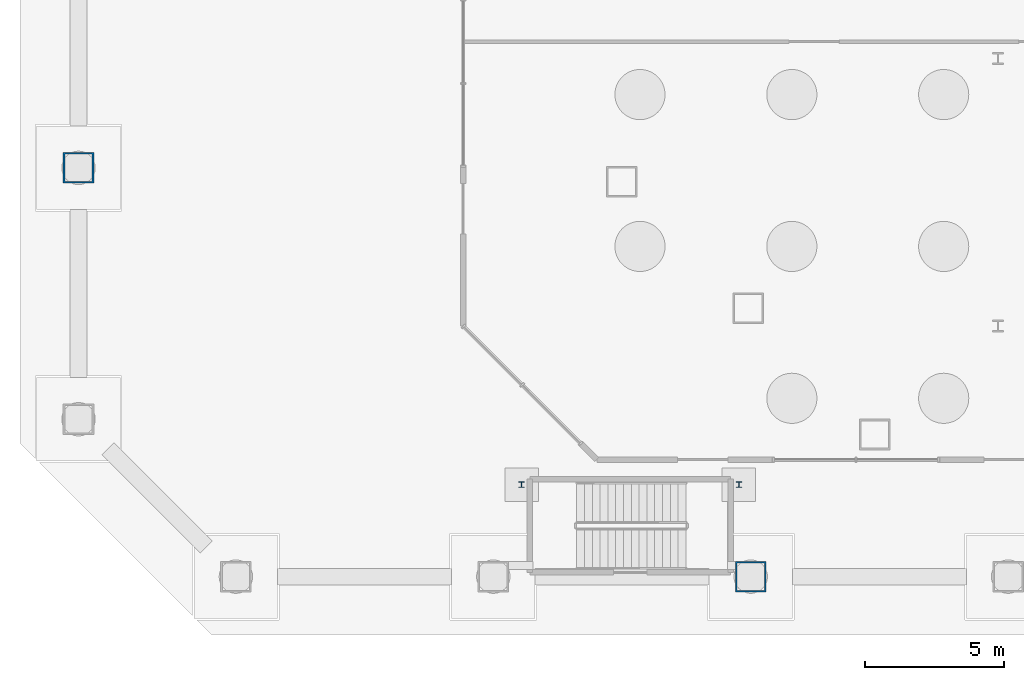
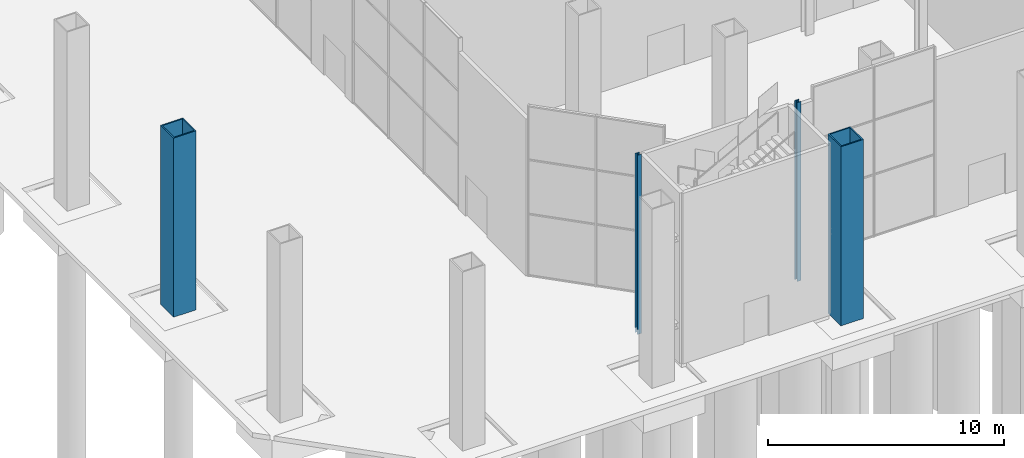
# One storey, part 3 of 38: 4 columns.
"""IFC4 building model written with IfcOpenShell, lengths in metres."""

from ifc_helpers import new_model, si_unit, direction, frame, origin, origin_2d, place, context, subcontext, project, spatial, hollow_rectangle, i_section, extrude, material, material_profile, profile_set, type_object, element, save


model = new_model("IFC4")

# Units and contexts
model_context = context("Model", 3, precision=1e-05, world=origin(), true_north=direction((0.0, 1.0)))
body_context = subcontext(model_context, "Body", "Model", "MODEL_VIEW")
ifc_project = project(units=[si_unit("LENGTHUNIT", "METRE"), si_unit("AREAUNIT", "SQUARE_METRE"), si_unit("VOLUMEUNIT", "CUBIC_METRE"), si_unit("PLANEANGLEUNIT", "RADIAN"), si_unit("MASSUNIT", "GRAM", prefix="KILO")], contexts=[model_context])

# Site, building, storey
site_placement = place(None, origin())
site = spatial("IfcSite", under=ifc_project, at=site_placement, CompositionType="ELEMENT")
building_placement = place(site_placement, origin())
building = spatial("IfcBuilding", under=site, at=building_placement, Name="Cairn Pilgrim Tower", CompositionType="ELEMENT")
storey_placement = place(building_placement, origin())
storey = spatial("IfcBuildingStorey", under=building, at=storey_placement, Name="L00", CompositionType="ELEMENT", Elevation=0.0)

# Columns
ifc_material_1 = material(Name="Structural steel S460M", Category="steel")
ifc_material_profile_1 = material_profile(ifc_material_1, hollow_rectangle(XDim=1.10009765625, YDim=1.10009765625, WallThickness=0.06005859375, at=origin_2d()), Name="BOX 1100x1100x60")
ifc_profile_set_1 = profile_set([ifc_material_profile_1], Name="Structural steel S460M")
column_type_1 = type_object("IfcColumnType", Name="PILOTIS CFT 1100", PredefinedType="COLUMN", material=ifc_profile_set_1)
for number, where, z_axis, x_axis, name in (
    (1, (-23.275634765625, -28.199951171875, -0.25), (0.0, 0.0, 1.0), (1.0, 0.0, 0.0), "PILOTIS PL-S3"),
    (2, (-47.39990234375, -13.531005859375, -0.25), (0.0, 0.0, 1.0), (1.0, 0.0, 0.0), "PILOTIS PL-W5"),
):
    element("IfcColumn", number, at=place(storey_placement, frame(where, z_axis=z_axis, x_axis=x_axis)), inside=storey, type_object=column_type_1, Name=name, PredefinedType="COLUMN", context=body_context, shape_type="SweptSolid", body=[
        extrude(hollow_rectangle(XDim=1.10009765625, YDim=1.10009765625, WallThickness=0.06005859375, at=origin_2d()), origin(), (0.0, 0.0, 1.0), 9.25),
    ])
ifc_material_2 = material(Name="Structural steel S355J2", Category="steel")
ifc_material_profile_2 = material_profile(ifc_material_2, i_section(OverallWidth=0.199951171875, OverallDepth=0.199951171875, WebThickness=0.009033203125, FlangeThickness=0.014892578125, FilletRadius=0.01806640625, at=origin_2d()), Name="HE 200 B")
ifc_profile_set_2 = profile_set([ifc_material_profile_2], Name="Structural steel S355J2")
column_type_2 = type_object("IfcColumnType", Name="STAIR POST HE 200 B", PredefinedType="COLUMN", material=ifc_profile_set_2)
for number, where, z_axis, x_axis, name in (
    (3, (-31.5, -24.89990234375, -0.25), (0.0, 0.0, 1.0), (1.0, 0.0, 0.0), "STAIR POST LP-HS-W"),
    (4, (-23.699951171875, -24.89990234375, -0.25), (0.0, 0.0, 1.0), (1.0, 0.0, 0.0), "STAIR POST LP-HS-E"),
):
    element("IfcColumn", number, at=place(storey_placement, frame(where, z_axis=z_axis, x_axis=x_axis)), inside=storey, type_object=column_type_2, Name=name, PredefinedType="COLUMN", context=body_context, shape_type="SweptSolid", body=[
        extrude(i_section(OverallWidth=0.199951171875, OverallDepth=0.199951171875, WebThickness=0.009033203125, FlangeThickness=0.014892578125, FilletRadius=0.01806640625, at=origin_2d()), origin(), (0.0, 0.0, 1.0), 9.25),
    ])

save(model, "model.ifc")
